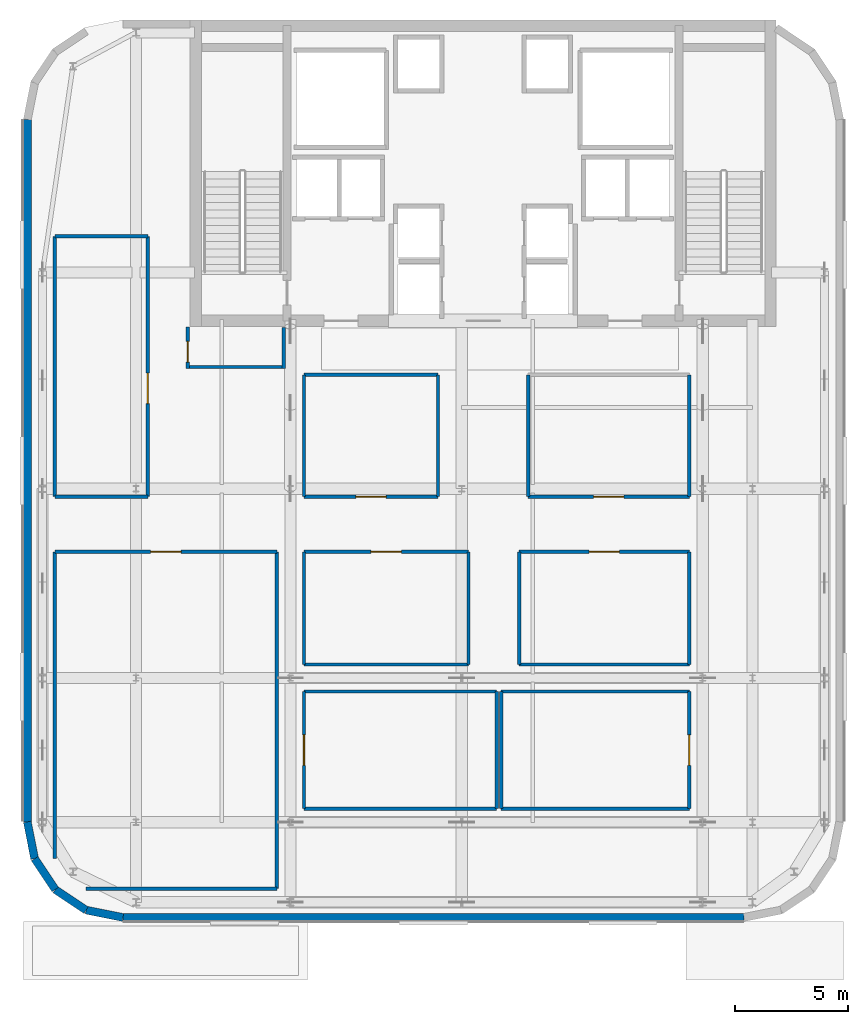
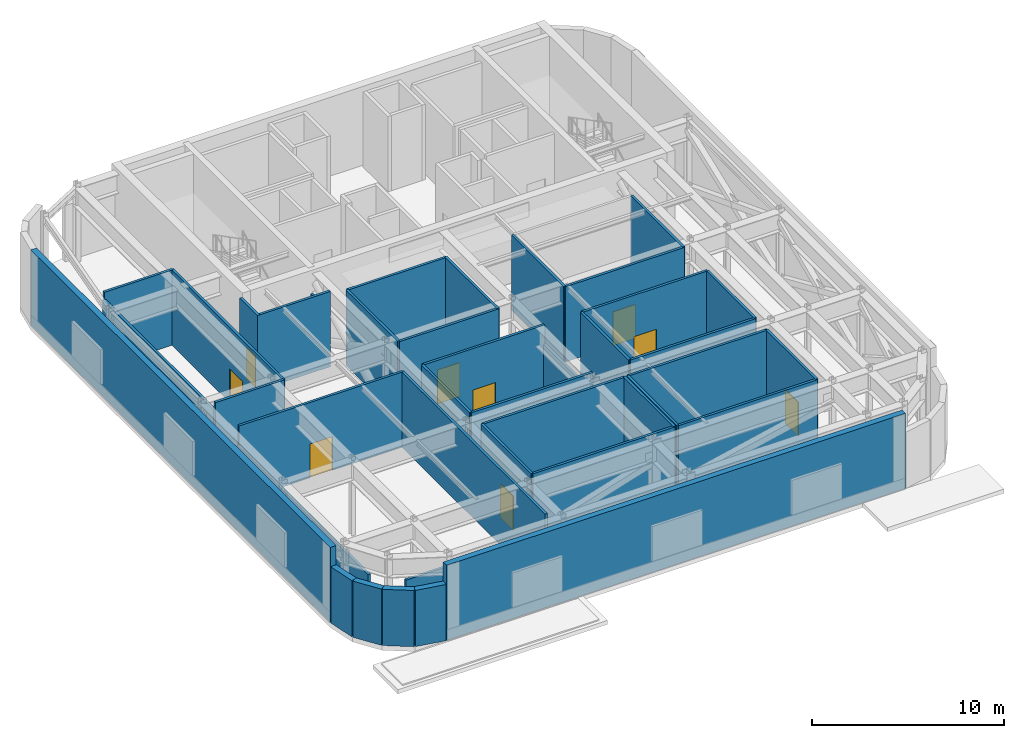
# One storey, part 7 of 13: 40 walls, 9 doors, 9 openings.
"""IFC4 building model written with IfcOpenShell, lengths in metres."""

from ifc_helpers import new_model, si_unit, direction, frame, frame_2d, origin, place, context, subcontext, project, spatial, rectangle, extrude, source, transform, mapped, material, layer, layer_set, type_object, type_shapes, element, fill, save


model = new_model("IFC4")

# Units and contexts
model_context = context("Model", 3, precision=1e-05, world=origin(), true_north=direction((0.0, 1.0)))
body_context = subcontext(model_context, "Body", "Model", "MODEL_VIEW")
ifc_project = project(units=[si_unit("LENGTHUNIT", "METRE"), si_unit("AREAUNIT", "SQUARE_METRE"), si_unit("VOLUMEUNIT", "CUBIC_METRE"), si_unit("PLANEANGLEUNIT", "RADIAN"), si_unit("MASSUNIT", "GRAM", prefix="KILO")], contexts=[model_context])

# Site, building, storey
site_placement = place(None, origin())
site = spatial("IfcSite", under=ifc_project, at=site_placement, CompositionType="ELEMENT")
building_placement = place(site_placement, origin())
building = spatial("IfcBuilding", under=site, at=building_placement, Name="Tolvann Quenvar Hotel", CompositionType="ELEMENT")
storey_placement = place(building_placement, frame((0.0, 0.0, 270.050048828125)))
storey = spatial("IfcBuildingStorey", under=building, at=storey_placement, Name="L72", CompositionType="ELEMENT", Elevation=270.050048828125)

# Walls
ifc_material_1 = material(Name="Kiln-fired red and buff architectural clay brickwork and terracotta masonry", Category="masonry")
ifc_layer_1 = layer(ifc_material_1, 0.35009765625)
ifc_layer_set_1 = layer_set([ifc_layer_1], Name="Kiln-fired red and buff architectural clay brickwork and terracotta masonry")
wall_type_1 = type_object("IfcWallType", Name="WALL_EXT_BRICK_350", PredefinedType="SOLIDWALL", material=ifc_layer_set_1)
for number, where, z_axis, x_axis, name in (
    (1, (3.099609375, 7.984619140625, 0.0), (0.0, 0.0, 1.0), (0.555623290322, -0.831434158098, 0.0), "Exterior Chicago Brick Wall L72-E01"),
    (2, (4.014892578125, 6.614990234375, 0.0), (0.0, 0.0, 1.0), (0.831434158098, -0.555623290322, 0.0), "Exterior Chicago Brick Wall L72-E02"),
):
    element("IfcWall", number, at=place(storey_placement, frame(where, z_axis=z_axis, x_axis=x_axis)), inside=storey, type_object=wall_type_1, Name=name, PredefinedType="SOLIDWALL", context=body_context, shape_type="SweptSolid", body=[
        extrude(rectangle(XDim=1.647216796875, YDim=0.35009765625, at=frame_2d((0.82373046875, 0.0))), origin(), (0.0, 0.0, 1.0), 3.570068359375),
    ])
wall_1_placement = place(storey_placement, frame((5.384521484375, 5.69970703125, 0.0), z_axis=(0.0, 0.0, 1.0), x_axis=(0.980788844421, -0.195072403631, 0.0)))
element("IfcWall", 3, at=wall_1_placement, inside=storey, type_object=wall_type_1, Name="Exterior Chicago Brick Wall L72-E03", PredefinedType="SOLIDWALL", context=body_context, shape_type="SweptSolid", body=[
    extrude(rectangle(XDim=1.66455078125, YDim=0.35009765625, at=frame_2d((0.832275390625, 0.0))), origin(), (0.0, 0.0, 1.0), 3.570068359375),
])
wall_2_placement = place(storey_placement, frame((7.01708984375, 5.375, 0.0), z_axis=(0.0, 0.0, 1.0), x_axis=(1.0, 0.0, 0.0)))
element("IfcWall", 4, at=wall_2_placement, inside=storey, type_object=wall_type_1, Name="Exterior Chicago Brick Wall L72-E04", PredefinedType="SOLIDWALL", context=body_context, shape_type="SweptSolid", body=[
    extrude(rectangle(XDim=27.565673828125, YDim=0.35009765625, at=frame_2d((13.78271484375, 0.0))), origin(), (0.0, 0.0, 1.0), 4.780029296875),
])
wall_3_placement = place(storey_placement, frame((2.77490234375, 40.78271484375, 0.0), z_axis=(0.0, 0.0, 1.0), x_axis=(0.0, -1.0, 0.0)))
element("IfcWall", 5, at=wall_3_placement, inside=storey, type_object=wall_type_1, Name="Exterior Chicago Brick Wall L72-E19", PredefinedType="SOLIDWALL", context=body_context, shape_type="SweptSolid", body=[
    extrude(rectangle(XDim=31.16552734375, YDim=0.35009765625, at=frame_2d((15.582763671875, 0.0))), origin(), (0.0, 0.0, 1.0), 4.780029296875),
])
wall_4_placement = place(storey_placement, frame((2.77490234375, 9.6171875, 0.0), z_axis=(0.0, 0.0, 1.0), x_axis=(0.195072403631, -0.980788844421, 0.0)))
element("IfcWall", 6, at=wall_4_placement, inside=storey, type_object=wall_type_1, Name="Exterior Chicago Brick Wall L72-E20", PredefinedType="SOLIDWALL", context=body_context, shape_type="SweptSolid", body=[
    extrude(rectangle(XDim=1.66455078125, YDim=0.35009765625, at=frame_2d((0.832275390625, 0.0))), origin(), (0.0, 0.0, 1.0), 3.570068359375),
])

# Wall, opening, door
ifc_material_2 = material(Name="Acoustic twin-stud fire-rated gypsum plasterboard partition")
ifc_layer_2 = layer(ifc_material_2, 0.14990234375)
ifc_layer_set_2 = layer_set([ifc_layer_2], Name="Acoustic twin-stud fire-rated gypsum plasterboard partition")
wall_type_2 = type_object("IfcWallType", Name="WALL_PART_SUITE_150", PredefinedType="PARTITIONING", material=ifc_layer_set_2)
wall_5_placement = place(storey_placement, frame((8.1201171875, 24.050048828125, 0.0), z_axis=(0.0, 0.0, 1.0), x_axis=(0.0, 1.0, 0.0)))
wall_5 = element("IfcWall", 7, at=wall_5_placement, inside=storey, type_object=wall_type_2, Name="Interior Partition PT-SPC-L72-REF-W-ENT", PredefinedType="PARTITIONING", context=body_context, shape_type="SweptSolid", body=[
    extrude(rectangle(XDim=11.550048828125, YDim=0.14990234375, at=frame_2d((5.77490234375, 0.0))), origin(), (0.0, 0.0, 1.0), 4.780029296875),
])
opening_1_placement = place(wall_5_placement, frame((4.125, 0.0, 0.0)))
opening_1 = element("IfcOpeningElement", 8, at=opening_1_placement, cuts=wall_5, Name="Opening PD-01", PredefinedType="OPENING", context=body_context, shape_type="SweptSolid", body=[
    extrude(rectangle(XDim=1.35009765625, YDim=2.14990234375, at=frame_2d((0.675048828125, 1.074951171875))), frame((0.0, 0.0849609375, 0.0), z_axis=(0.0, -1.0, 0.0), x_axis=(1.0, 0.0, 0.0)), (0.0, 0.0, 1.0), 0.169921875),
])
ifc_material_3 = material(Name="Pressed galvanised steel fire-rated door set", Category="steel")
door_type_1 = type_object("IfcDoorType", Name="DOOR_PLANT_1350", OperationType="NOTDEFINED", PredefinedType="DOOR", material=ifc_material_3)
shared_shape_1 = source(origin(), body_context, "Body", "SweptSolid", [
    extrude(rectangle(XDim=1.35009765625, YDim=2.14990234375, at=frame_2d((0.675048828125, 1.074951171875))), frame((0.0, 0.02490234375, 0.0), z_axis=(0.0, -1.0, 0.0), x_axis=(1.0, 0.0, 0.0)), (0.0, 0.0, 1.0), 0.050048828125),
])
type_shapes(door_type_1, [shared_shape_1])
door_1_placement = place(opening_1_placement, origin())
door_1 = element("IfcDoor", 9, at=door_1_placement, inside=storey, type_object=door_type_1, Name="Interior Door DOOR-SPC-L72-REF-W", OperationType="DOUBLE_DOOR_SINGLE_SWING", OverallHeight=2.14990234375, OverallWidth=1.35009765625, PredefinedType="DOOR", context=body_context, shape_type="MappedRepresentation", body=[
    mapped(shared_shape_1, transform((0.0, 0.0, 0.0), x_axis=(1.0, 0.0, 0.0), y_axis=(0.0, 1.0, 0.0), z_axis=(0.0, 0.0, 1.0), scale=1.0)),
])
fill(opening_1, door_1)

# Walls
for number, where, z_axis, x_axis, name in (
    (10, (4.0, 24.050048828125, 0.0), (0.0, 0.0, 1.0), (1.0, 0.0, 0.0), "Interior Partition PT-SPC-L72-REF-W-S"),
    (11, (4.0, 35.60009765625, 0.0), (0.0, 0.0, 1.0), (1.0, 0.0, 0.0), "Interior Partition PT-SPC-L72-REF-W-N"),
):
    element("IfcWall", number, at=place(storey_placement, frame(where, z_axis=z_axis, x_axis=x_axis)), inside=storey, type_object=wall_type_2, Name=name, PredefinedType="PARTITIONING", context=body_context, shape_type="SweptSolid", body=[
        extrude(rectangle(XDim=4.1201171875, YDim=0.14990234375, at=frame_2d((2.06005859375, 0.0))), origin(), (0.0, 0.0, 1.0), 4.780029296875),
    ])
wall_6_placement = place(storey_placement, frame((4.0, 24.050048828125, 0.0), z_axis=(0.0, 0.0, 1.0), x_axis=(0.0, 1.0, 0.0)))
element("IfcWall", 12, at=wall_6_placement, inside=storey, type_object=wall_type_2, Name="Interior Partition PT-SPC-L72-REF-W-W", PredefinedType="PARTITIONING", context=body_context, shape_type="SweptSolid", body=[
    extrude(rectangle(XDim=11.550048828125, YDim=0.14990234375, at=frame_2d((5.77490234375, 0.0))), origin(), (0.0, 0.0, 1.0), 4.31005859375),
])

# Wall, opening, door
wall_7_placement = place(storey_placement, frame((15.050048828125, 24.050048828125, 0.0), z_axis=(0.0, 0.0, 1.0), x_axis=(1.0, 0.0, 0.0)))
wall_7 = element("IfcWall", 13, at=wall_7_placement, inside=storey, type_object=wall_type_2, Name="Interior Partition PT-SPC-L72-REF-C-ENT", PredefinedType="PARTITIONING", context=body_context, shape_type="SweptSolid", body=[
    extrude(rectangle(XDim=5.949951171875, YDim=0.14990234375, at=frame_2d((2.97509765625, 0.0))), origin(), (0.0, 0.0, 1.0), 4.780029296875),
])
opening_2_placement = place(wall_7_placement, frame((2.300048828125, 0.0, 0.0)))
opening_2 = element("IfcOpeningElement", 14, at=opening_2_placement, cuts=wall_7, Name="Opening PD-01", PredefinedType="OPENING", context=body_context, shape_type="SweptSolid", body=[
    extrude(rectangle(XDim=1.35009765625, YDim=2.14990234375, at=frame_2d((0.675048828125, 1.074951171875))), frame((0.0, 0.0849609375, 0.0), z_axis=(0.0, -1.0, 0.0), x_axis=(1.0, 0.0, 0.0)), (0.0, 0.0, 1.0), 0.169921875),
])
door_2_placement = place(opening_2_placement, origin())
door_2 = element("IfcDoor", 15, at=door_2_placement, inside=storey, type_object=door_type_1, Name="Interior Door DOOR-SPC-L72-REF-C", OperationType="DOUBLE_DOOR_SINGLE_SWING", OverallHeight=2.14990234375, OverallWidth=1.35009765625, PredefinedType="DOOR", context=body_context, shape_type="MappedRepresentation", body=[
    mapped(shared_shape_1, transform((0.0, 0.0, 0.0), x_axis=(1.0, 0.0, 0.0), y_axis=(0.0, 1.0, 0.0), z_axis=(0.0, 0.0, 1.0), scale=1.0)),
])
fill(opening_2, door_2)

# Walls
wall_8_placement = place(storey_placement, frame((15.050048828125, 29.449951171875, 0.0), z_axis=(0.0, 0.0, 1.0), x_axis=(1.0, 0.0, 0.0)))
element("IfcWall", 16, at=wall_8_placement, inside=storey, type_object=wall_type_2, Name="Interior Partition PT-SPC-L72-REF-C-N", PredefinedType="PARTITIONING", context=body_context, shape_type="SweptSolid", body=[
    extrude(rectangle(XDim=5.949951171875, YDim=0.14990234375, at=frame_2d((2.97509765625, 0.0))), origin(), (0.0, 0.0, 1.0), 4.780029296875),
])
for number, where, z_axis, x_axis, name in (
    (17, (15.050048828125, 24.050048828125, 0.0), (0.0, 0.0, 1.0), (0.0, 1.0, 0.0), "Interior Partition PT-SPC-L72-REF-C-W"),
    (18, (21.0, 24.050048828125, 0.0), (0.0, 0.0, 1.0), (0.0, 1.0, 0.0), "Interior Partition PT-SPC-L72-REF-C-E"),
):
    element("IfcWall", number, at=place(storey_placement, frame(where, z_axis=z_axis, x_axis=x_axis)), inside=storey, type_object=wall_type_2, Name=name, PredefinedType="PARTITIONING", context=body_context, shape_type="SweptSolid", body=[
        extrude(rectangle(XDim=5.39990234375, YDim=0.14990234375, at=frame_2d((2.699951171875, 0.0))), origin(), (0.0, 0.0, 1.0), 4.780029296875),
    ])

# Wall, opening, door
wall_9_placement = place(storey_placement, frame((25.0, 24.050048828125, 0.0), z_axis=(0.0, 0.0, 1.0), x_axis=(1.0, 0.0, 0.0)))
wall_9 = element("IfcWall", 19, at=wall_9_placement, inside=storey, type_object=wall_type_2, Name="Interior Partition PT-SPC-L72-REF-E-ENT", PredefinedType="PARTITIONING", context=body_context, shape_type="SweptSolid", body=[
    extrude(rectangle(XDim=7.14990234375, YDim=0.14990234375, at=frame_2d((3.574951171875, 0.0))), origin(), (0.0, 0.0, 1.0), 4.780029296875),
])
opening_3_placement = place(wall_9_placement, frame((2.89990234375, 0.0, 0.0)))
opening_3 = element("IfcOpeningElement", 20, at=opening_3_placement, cuts=wall_9, Name="Opening PD-01", PredefinedType="OPENING", context=body_context, shape_type="SweptSolid", body=[
    extrude(rectangle(XDim=1.35009765625, YDim=2.14990234375, at=frame_2d((0.675048828125, 1.074951171875))), frame((0.0, 0.0849609375, 0.0), z_axis=(0.0, -1.0, 0.0), x_axis=(1.0, 0.0, 0.0)), (0.0, 0.0, 1.0), 0.169921875),
])
door_3_placement = place(opening_3_placement, origin())
door_3 = element("IfcDoor", 21, at=door_3_placement, inside=storey, type_object=door_type_1, Name="Interior Door DOOR-SPC-L72-REF-E", OperationType="DOUBLE_DOOR_SINGLE_SWING", OverallHeight=2.14990234375, OverallWidth=1.35009765625, PredefinedType="DOOR", context=body_context, shape_type="MappedRepresentation", body=[
    mapped(shared_shape_1, transform((0.0, 0.0, 0.0), x_axis=(1.0, 0.0, 0.0), y_axis=(0.0, 1.0, 0.0), z_axis=(0.0, 0.0, 1.0), scale=1.0)),
])
fill(opening_3, door_3)

# Walls
for number, where, z_axis, x_axis, name in (
    (22, (25.0, 24.050048828125, 0.0), (0.0, 0.0, 1.0), (0.0, 1.0, 0.0), "Interior Partition PT-SPC-L72-REF-E-W"),
    (23, (32.14990234375, 24.050048828125, 0.0), (0.0, 0.0, 1.0), (0.0, 1.0, 0.0), "Interior Partition PT-SPC-L72-REF-E-E"),
):
    element("IfcWall", number, at=place(storey_placement, frame(where, z_axis=z_axis, x_axis=x_axis)), inside=storey, type_object=wall_type_2, Name=name, PredefinedType="PARTITIONING", context=body_context, shape_type="SweptSolid", body=[
        extrude(rectangle(XDim=5.39990234375, YDim=0.14990234375, at=frame_2d((2.699951171875, 0.0))), origin(), (0.0, 0.0, 1.0), 4.780029296875),
    ])

# Wall, opening, door
wall_10_placement = place(storey_placement, frame((9.89990234375, 29.72998046875, 0.0), z_axis=(0.0, 0.0, 1.0), x_axis=(0.0, 1.0, 0.0)))
wall_10 = element("IfcWall", 24, at=wall_10_placement, inside=storey, type_object=wall_type_2, Name="Interior Partition PT-SPC-L72-PWC-ENT", PredefinedType="PARTITIONING", context=body_context, shape_type="SweptSolid", body=[
    extrude(rectangle(XDim=1.840087890625, YDim=0.14990234375, at=frame_2d((0.919921875, 0.0))), origin(), (0.0, 0.0, 1.0), 4.780029296875),
])
opening_4_placement = place(wall_10_placement, frame((0.2900390625, 0.0, 0.0)))
opening_4 = element("IfcOpeningElement", 25, at=opening_4_placement, cuts=wall_10, Name="Opening WD-01", PredefinedType="OPENING", context=body_context, shape_type="SweptSolid", body=[
    extrude(rectangle(XDim=0.919921875, YDim=2.010009765625, at=frame_2d((0.4599609375, 1.0048828125))), frame((0.0, 0.0849609375, 0.0), z_axis=(0.0, -1.0, 0.0), x_axis=(1.0, 0.0, 0.0)), (0.0, 0.0, 1.0), 0.169921875),
])
ifc_material_4 = material(Name="Solid-core American oak acoustic fire door leaf in steel frame", Category="steel")
door_type_2 = type_object("IfcDoorType", Name="DOOR_WC_920", OperationType="NOTDEFINED", PredefinedType="DOOR", material=ifc_material_4)
shared_shape_2 = source(origin(), body_context, "Body", "SweptSolid", [
    extrude(rectangle(XDim=0.919921875, YDim=2.010009765625, at=frame_2d((0.4599609375, 1.0048828125))), frame((0.0, 0.02490234375, 0.0), z_axis=(0.0, -1.0, 0.0), x_axis=(1.0, 0.0, 0.0)), (0.0, 0.0, 1.0), 0.050048828125),
])
type_shapes(door_type_2, [shared_shape_2])
door_4_placement = place(opening_4_placement, origin())
door_4 = element("IfcDoor", 26, at=door_4_placement, inside=storey, type_object=door_type_2, Name="Interior Door DOOR-SPC-L72-PWC", OperationType="SINGLE_SWING_RIGHT", OverallHeight=2.010009765625, OverallWidth=0.919921875, PredefinedType="DOOR", context=body_context, shape_type="MappedRepresentation", body=[
    mapped(shared_shape_2, transform((0.0, 0.0, 0.0), x_axis=(1.0, 0.0, 0.0), y_axis=(0.0, 1.0, 0.0), z_axis=(0.0, 0.0, 1.0), scale=1.0)),
])
fill(opening_4, door_4)

# Walls
wall_11_placement = place(storey_placement, frame((9.830078125, 29.800048828125, 0.0), z_axis=(0.0, 0.0, 1.0), x_axis=(1.0, 0.0, 0.0)))
element("IfcWall", 27, at=wall_11_placement, inside=storey, type_object=wall_type_2, Name="Interior Partition PT-SPC-L72-PWC-S", PredefinedType="PARTITIONING", context=body_context, shape_type="SweptSolid", body=[
    extrude(rectangle(XDim=4.389892578125, YDim=0.14990234375, at=frame_2d((2.19482421875, 0.0))), origin(), (0.0, 0.0, 1.0), 4.780029296875),
])
wall_12_placement = place(storey_placement, frame((14.14990234375, 29.72998046875, 0.0), z_axis=(0.0, 0.0, 1.0), x_axis=(0.0, 1.0, 0.0)))
element("IfcWall", 28, at=wall_12_placement, inside=storey, type_object=wall_type_2, Name="Interior Partition PT-SPC-L72-PWC-E", PredefinedType="PARTITIONING", context=body_context, shape_type="SweptSolid", body=[
    extrude(rectangle(XDim=1.81494140625, YDim=0.14990234375, at=frame_2d((0.907470703125, 0.0))), origin(), (0.0, 0.0, 1.0), 3.570068359375),
])
wall_13_placement = place(storey_placement, frame((5.385009765625, 6.64990234375, 0.0), z_axis=(0.0, 0.0, 1.0), x_axis=(1.0, 0.0, 0.0)))
element("IfcWall", 29, at=wall_13_placement, inside=storey, type_object=wall_type_2, Name="Interior Partition PT-SPC-L72-CHIL-S", PredefinedType="PARTITIONING", context=body_context, shape_type="SweptSolid", body=[
    extrude(rectangle(XDim=8.465087890625, YDim=0.14990234375, at=frame_2d((4.232421875, 0.0))), origin(), (0.0, 0.0, 1.0), 3.570068359375),
])

# Wall, opening, door
wall_14_placement = place(storey_placement, frame((4.0, 21.60009765625, 0.0), z_axis=(0.0, 0.0, 1.0), x_axis=(1.0, 0.0, 0.0)))
wall_14 = element("IfcWall", 30, at=wall_14_placement, inside=storey, type_object=wall_type_2, Name="Interior Partition PT-SPC-L72-CHIL-N", PredefinedType="PARTITIONING", context=body_context, shape_type="SweptSolid", body=[
    extrude(rectangle(XDim=9.85009765625, YDim=0.14990234375, at=frame_2d((4.925048828125, 0.0))), origin(), (0.0, 0.0, 1.0), 4.780029296875),
])
opening_5_placement = place(wall_14_placement, frame((4.25, 0.0, 0.0)))
opening_5 = element("IfcOpeningElement", 31, at=opening_5_placement, cuts=wall_14, Name="Opening PD-01", PredefinedType="OPENING", context=body_context, shape_type="SweptSolid", body=[
    extrude(rectangle(XDim=1.35009765625, YDim=2.14990234375, at=frame_2d((0.675048828125, 1.074951171875))), frame((0.0, 0.0849609375, 0.0), z_axis=(0.0, -1.0, 0.0), x_axis=(1.0, 0.0, 0.0)), (0.0, 0.0, 1.0), 0.169921875),
])
door_5_placement = place(opening_5_placement, origin())
door_5 = element("IfcDoor", 32, at=door_5_placement, inside=storey, type_object=door_type_1, Name="Interior Door DOOR-SPC-L72-CHIL", OperationType="DOUBLE_DOOR_SINGLE_SWING", OverallHeight=2.14990234375, OverallWidth=1.35009765625, PredefinedType="DOOR", context=body_context, shape_type="MappedRepresentation", body=[
    mapped(shared_shape_1, transform((0.0, 0.0, 0.0), x_axis=(1.0, 0.0, 0.0), y_axis=(0.0, 1.0, 0.0), z_axis=(0.0, 0.0, 1.0), scale=1.0)),
])
fill(opening_5, door_5)

# Walls
wall_15_placement = place(storey_placement, frame((4.0, 7.98388671875, 0.0), z_axis=(0.0, 0.0, 1.0), x_axis=(0.0, 1.0, 0.0)))
element("IfcWall", 33, at=wall_15_placement, inside=storey, type_object=wall_type_2, Name="Interior Partition PT-SPC-L72-CHIL-W", PredefinedType="PARTITIONING", context=body_context, shape_type="SweptSolid", body=[
    extrude(rectangle(XDim=13.6162109375, YDim=0.14990234375, at=frame_2d((6.80810546875, 0.0))), origin(), (0.0, 0.0, 1.0), 3.570068359375),
])
wall_16_placement = place(storey_placement, frame((13.85009765625, 6.64990234375, 0.0), z_axis=(0.0, 0.0, 1.0), x_axis=(0.0, 1.0, 0.0)))
element("IfcWall", 34, at=wall_16_placement, inside=storey, type_object=wall_type_2, Name="Interior Partition PT-SPC-L72-CHIL-E", PredefinedType="PARTITIONING", context=body_context, shape_type="SweptSolid", body=[
    extrude(rectangle(XDim=14.9501953125, YDim=0.14990234375, at=frame_2d((7.47509765625, 0.0))), origin(), (0.0, 0.0, 1.0), 4.780029296875),
])
for number, where, z_axis, x_axis, name in (
    (35, (15.050048828125, 10.199951171875, 0.0), (0.0, 0.0, 1.0), (1.0, 0.0, 0.0), "Interior Partition PT-SPC-L72-AHU-S"),
    (36, (15.050048828125, 15.39990234375, 0.0), (0.0, 0.0, 1.0), (1.0, 0.0, 0.0), "Interior Partition PT-SPC-L72-AHU-N"),
):
    element("IfcWall", number, at=place(storey_placement, frame(where, z_axis=z_axis, x_axis=x_axis)), inside=storey, type_object=wall_type_2, Name=name, PredefinedType="PARTITIONING", context=body_context, shape_type="SweptSolid", body=[
        extrude(rectangle(XDim=8.550048828125, YDim=0.14990234375, at=frame_2d((4.27490234375, 0.0))), origin(), (0.0, 0.0, 1.0), 4.780029296875),
    ])

# Wall, opening, door
wall_17_placement = place(storey_placement, frame((15.050048828125, 10.199951171875, 0.0), z_axis=(0.0, 0.0, 1.0), x_axis=(0.0, 1.0, 0.0)))
wall_17 = element("IfcWall", 37, at=wall_17_placement, inside=storey, type_object=wall_type_2, Name="Interior Partition PT-SPC-L72-AHU-W", PredefinedType="PARTITIONING", context=body_context, shape_type="SweptSolid", body=[
    extrude(rectangle(XDim=5.199951171875, YDim=0.14990234375, at=frame_2d((2.60009765625, 0.0))), origin(), (0.0, 0.0, 1.0), 4.780029296875),
])
opening_6_placement = place(wall_17_placement, frame((1.925048828125, 0.0, 0.0)))
opening_6 = element("IfcOpeningElement", 38, at=opening_6_placement, cuts=wall_17, Name="Opening PD-01", PredefinedType="OPENING", context=body_context, shape_type="SweptSolid", body=[
    extrude(rectangle(XDim=1.35009765625, YDim=2.14990234375, at=frame_2d((0.675048828125, 1.074951171875))), frame((0.0, 0.0849609375, 0.0), z_axis=(0.0, -1.0, 0.0), x_axis=(1.0, 0.0, 0.0)), (0.0, 0.0, 1.0), 0.169921875),
])
door_6_placement = place(opening_6_placement, origin())
door_6 = element("IfcDoor", 39, at=door_6_placement, inside=storey, type_object=door_type_1, Name="Interior Door DOOR-SPC-L72-AHU", OperationType="DOUBLE_DOOR_SINGLE_SWING", OverallHeight=2.14990234375, OverallWidth=1.35009765625, PredefinedType="DOOR", context=body_context, shape_type="MappedRepresentation", body=[
    mapped(shared_shape_1, transform((0.0, 0.0, 0.0), x_axis=(1.0, 0.0, 0.0), y_axis=(0.0, 1.0, 0.0), z_axis=(0.0, 0.0, 1.0), scale=1.0)),
])
fill(opening_6, door_6)

# Walls
wall_18_placement = place(storey_placement, frame((23.60009765625, 10.199951171875, 0.0), z_axis=(0.0, 0.0, 1.0), x_axis=(0.0, 1.0, 0.0)))
element("IfcWall", 40, at=wall_18_placement, inside=storey, type_object=wall_type_2, Name="Interior Partition PT-SPC-L72-AHU-E", PredefinedType="PARTITIONING", context=body_context, shape_type="SweptSolid", body=[
    extrude(rectangle(XDim=5.199951171875, YDim=0.14990234375, at=frame_2d((2.60009765625, 0.0))), origin(), (0.0, 0.0, 1.0), 4.780029296875),
])
for number, where, z_axis, x_axis, name in (
    (41, (23.800048828125, 10.199951171875, 0.0), (0.0, 0.0, 1.0), (1.0, 0.0, 0.0), "Interior Partition PT-SPC-L72-ELEC-S"),
    (42, (23.800048828125, 15.39990234375, 0.0), (0.0, 0.0, 1.0), (1.0, 0.0, 0.0), "Interior Partition PT-SPC-L72-ELEC-N"),
):
    element("IfcWall", number, at=place(storey_placement, frame(where, z_axis=z_axis, x_axis=x_axis)), inside=storey, type_object=wall_type_2, Name=name, PredefinedType="PARTITIONING", context=body_context, shape_type="SweptSolid", body=[
        extrude(rectangle(XDim=8.349853515625, YDim=0.14990234375, at=frame_2d((4.1748046875, 0.0))), origin(), (0.0, 0.0, 1.0), 4.780029296875),
    ])
wall_19_placement = place(storey_placement, frame((23.800048828125, 10.199951171875, 0.0), z_axis=(0.0, 0.0, 1.0), x_axis=(0.0, 1.0, 0.0)))
element("IfcWall", 43, at=wall_19_placement, inside=storey, type_object=wall_type_2, Name="Interior Partition PT-SPC-L72-ELEC-W", PredefinedType="PARTITIONING", context=body_context, shape_type="SweptSolid", body=[
    extrude(rectangle(XDim=5.199951171875, YDim=0.14990234375, at=frame_2d((2.60009765625, 0.0))), origin(), (0.0, 0.0, 1.0), 4.780029296875),
])

# Wall, opening, door
wall_20_placement = place(storey_placement, frame((32.14990234375, 10.199951171875, 0.0), z_axis=(0.0, 0.0, 1.0), x_axis=(0.0, 1.0, 0.0)))
wall_20 = element("IfcWall", 44, at=wall_20_placement, inside=storey, type_object=wall_type_2, Name="Interior Partition PT-SPC-L72-ELEC-E", PredefinedType="PARTITIONING", context=body_context, shape_type="SweptSolid", body=[
    extrude(rectangle(XDim=5.199951171875, YDim=0.14990234375, at=frame_2d((2.60009765625, 0.0))), origin(), (0.0, 0.0, 1.0), 4.780029296875),
])
opening_7_placement = place(wall_20_placement, frame((1.925048828125, 0.0, 0.0)))
opening_7 = element("IfcOpeningElement", 45, at=opening_7_placement, cuts=wall_20, Name="Opening PD-01", PredefinedType="OPENING", context=body_context, shape_type="SweptSolid", body=[
    extrude(rectangle(XDim=1.35009765625, YDim=2.14990234375, at=frame_2d((0.675048828125, 1.074951171875))), frame((0.0, 0.0849609375, 0.0), z_axis=(0.0, -1.0, 0.0), x_axis=(1.0, 0.0, 0.0)), (0.0, 0.0, 1.0), 0.169921875),
])
door_7_placement = place(opening_7_placement, origin())
door_7 = element("IfcDoor", 46, at=door_7_placement, inside=storey, type_object=door_type_1, Name="Interior Door DOOR-SPC-L72-ELEC", OperationType="DOUBLE_DOOR_SINGLE_SWING", OverallHeight=2.14990234375, OverallWidth=1.35009765625, PredefinedType="DOOR", context=body_context, shape_type="MappedRepresentation", body=[
    mapped(shared_shape_1, transform((0.0, 0.0, 0.0), x_axis=(1.0, 0.0, 0.0), y_axis=(0.0, 1.0, 0.0), z_axis=(0.0, 0.0, 1.0), scale=1.0)),
])
fill(opening_7, door_7)

# Wall
wall_21_placement = place(storey_placement, frame((15.050048828125, 16.60009765625, 0.0), z_axis=(0.0, 0.0, 1.0), x_axis=(1.0, 0.0, 0.0)))
element("IfcWall", 47, at=wall_21_placement, inside=storey, type_object=wall_type_2, Name="Interior Partition PT-SPC-L72-PUMP-W-S", PredefinedType="PARTITIONING", context=body_context, shape_type="SweptSolid", body=[
    extrude(rectangle(XDim=7.300048828125, YDim=0.14990234375, at=frame_2d((3.64990234375, 0.0))), origin(), (0.0, 0.0, 1.0), 4.780029296875),
])

# Wall, opening, door
wall_22_placement = place(storey_placement, frame((15.050048828125, 21.60009765625, 0.0), z_axis=(0.0, 0.0, 1.0), x_axis=(1.0, 0.0, 0.0)))
wall_22 = element("IfcWall", 48, at=wall_22_placement, inside=storey, type_object=wall_type_2, Name="Interior Partition PT-SPC-L72-PUMP-W-N", PredefinedType="PARTITIONING", context=body_context, shape_type="SweptSolid", body=[
    extrude(rectangle(XDim=7.300048828125, YDim=0.14990234375, at=frame_2d((3.64990234375, 0.0))), origin(), (0.0, 0.0, 1.0), 4.780029296875),
])
opening_8_placement = place(wall_22_placement, frame((2.97509765625, 0.0, 0.0)))
opening_8 = element("IfcOpeningElement", 49, at=opening_8_placement, cuts=wall_22, Name="Opening PD-01", PredefinedType="OPENING", context=body_context, shape_type="SweptSolid", body=[
    extrude(rectangle(XDim=1.35009765625, YDim=2.14990234375, at=frame_2d((0.675048828125, 1.074951171875))), frame((0.0, 0.0849609375, 0.0), z_axis=(0.0, -1.0, 0.0), x_axis=(1.0, 0.0, 0.0)), (0.0, 0.0, 1.0), 0.169921875),
])
door_8_placement = place(opening_8_placement, origin())
door_8 = element("IfcDoor", 50, at=door_8_placement, inside=storey, type_object=door_type_1, Name="Interior Door DOOR-SPC-L72-PUMP-W", OperationType="DOUBLE_DOOR_SINGLE_SWING", OverallHeight=2.14990234375, OverallWidth=1.35009765625, PredefinedType="DOOR", context=body_context, shape_type="MappedRepresentation", body=[
    mapped(shared_shape_1, transform((0.0, 0.0, 0.0), x_axis=(1.0, 0.0, 0.0), y_axis=(0.0, 1.0, 0.0), z_axis=(0.0, 0.0, 1.0), scale=1.0)),
])
fill(opening_8, door_8)

# Walls
wall_23_placement = place(storey_placement, frame((15.050048828125, 16.60009765625, 0.0), z_axis=(0.0, 0.0, 1.0), x_axis=(0.0, 1.0, 0.0)))
element("IfcWall", 51, at=wall_23_placement, inside=storey, type_object=wall_type_2, Name="Interior Partition PT-SPC-L72-PUMP-W-W", PredefinedType="PARTITIONING", context=body_context, shape_type="SweptSolid", body=[
    extrude(rectangle(XDim=5.0, YDim=0.14990234375, at=frame_2d((2.5, 0.0))), origin(), (0.0, 0.0, 1.0), 4.780029296875),
])
wall_24_placement = place(storey_placement, frame((22.35009765625, 16.60009765625, 0.0), z_axis=(0.0, 0.0, 1.0), x_axis=(0.0, 1.0, 0.0)))
element("IfcWall", 52, at=wall_24_placement, inside=storey, type_object=wall_type_2, Name="Interior Partition PT-SPC-L72-PUMP-W-E", PredefinedType="PARTITIONING", context=body_context, shape_type="SweptSolid", body=[
    extrude(rectangle(XDim=5.0, YDim=0.14990234375, at=frame_2d((2.5, 0.0))), origin(), (0.0, 0.0, 1.0), 3.570068359375),
])
wall_25_placement = place(storey_placement, frame((24.60009765625, 16.60009765625, 0.0), z_axis=(0.0, 0.0, 1.0), x_axis=(1.0, 0.0, 0.0)))
element("IfcWall", 53, at=wall_25_placement, inside=storey, type_object=wall_type_2, Name="Interior Partition PT-SPC-L72-PUMP-E-S", PredefinedType="PARTITIONING", context=body_context, shape_type="SweptSolid", body=[
    extrude(rectangle(XDim=7.5498046875, YDim=0.14990234375, at=frame_2d((3.77490234375, 0.0))), origin(), (0.0, 0.0, 1.0), 4.780029296875),
])

# Wall, opening, door
wall_26_placement = place(storey_placement, frame((24.60009765625, 21.60009765625, 0.0), z_axis=(0.0, 0.0, 1.0), x_axis=(1.0, 0.0, 0.0)))
wall_26 = element("IfcWall", 54, at=wall_26_placement, inside=storey, type_object=wall_type_2, Name="Interior Partition PT-SPC-L72-PUMP-E-N", PredefinedType="PARTITIONING", context=body_context, shape_type="SweptSolid", body=[
    extrude(rectangle(XDim=7.5498046875, YDim=0.14990234375, at=frame_2d((3.77490234375, 0.0))), origin(), (0.0, 0.0, 1.0), 4.780029296875),
])
opening_9_placement = place(wall_26_placement, frame((3.10009765625, 0.0, 0.0)))
opening_9 = element("IfcOpeningElement", 55, at=opening_9_placement, cuts=wall_26, Name="Opening PD-01", PredefinedType="OPENING", context=body_context, shape_type="SweptSolid", body=[
    extrude(rectangle(XDim=1.35009765625, YDim=2.14990234375, at=frame_2d((0.675048828125, 1.074951171875))), frame((0.0, 0.0849609375, 0.0), z_axis=(0.0, -1.0, 0.0), x_axis=(1.0, 0.0, 0.0)), (0.0, 0.0, 1.0), 0.169921875),
])
door_9_placement = place(opening_9_placement, origin())
door_9 = element("IfcDoor", 56, at=door_9_placement, inside=storey, type_object=door_type_1, Name="Interior Door DOOR-SPC-L72-PUMP-E", OperationType="DOUBLE_DOOR_SINGLE_SWING", OverallHeight=2.14990234375, OverallWidth=1.35009765625, PredefinedType="DOOR", context=body_context, shape_type="MappedRepresentation", body=[
    mapped(shared_shape_1, transform((0.0, 0.0, 0.0), x_axis=(1.0, 0.0, 0.0), y_axis=(0.0, 1.0, 0.0), z_axis=(0.0, 0.0, 1.0), scale=1.0)),
])
fill(opening_9, door_9)

# Walls
for number, where, z_axis, x_axis, name in (
    (57, (24.60009765625, 16.60009765625, 0.0), (0.0, 0.0, 1.0), (0.0, 1.0, 0.0), "Interior Partition PT-SPC-L72-PUMP-E-W"),
    (58, (32.14990234375, 16.60009765625, 0.0), (0.0, 0.0, 1.0), (0.0, 1.0, 0.0), "Interior Partition PT-SPC-L72-PUMP-E-E"),
):
    element("IfcWall", number, at=place(storey_placement, frame(where, z_axis=z_axis, x_axis=x_axis)), inside=storey, type_object=wall_type_2, Name=name, PredefinedType="PARTITIONING", context=body_context, shape_type="SweptSolid", body=[
        extrude(rectangle(XDim=5.0, YDim=0.14990234375, at=frame_2d((2.5, 0.0))), origin(), (0.0, 0.0, 1.0), 4.780029296875),
    ])

save(model, "model.ifc")
